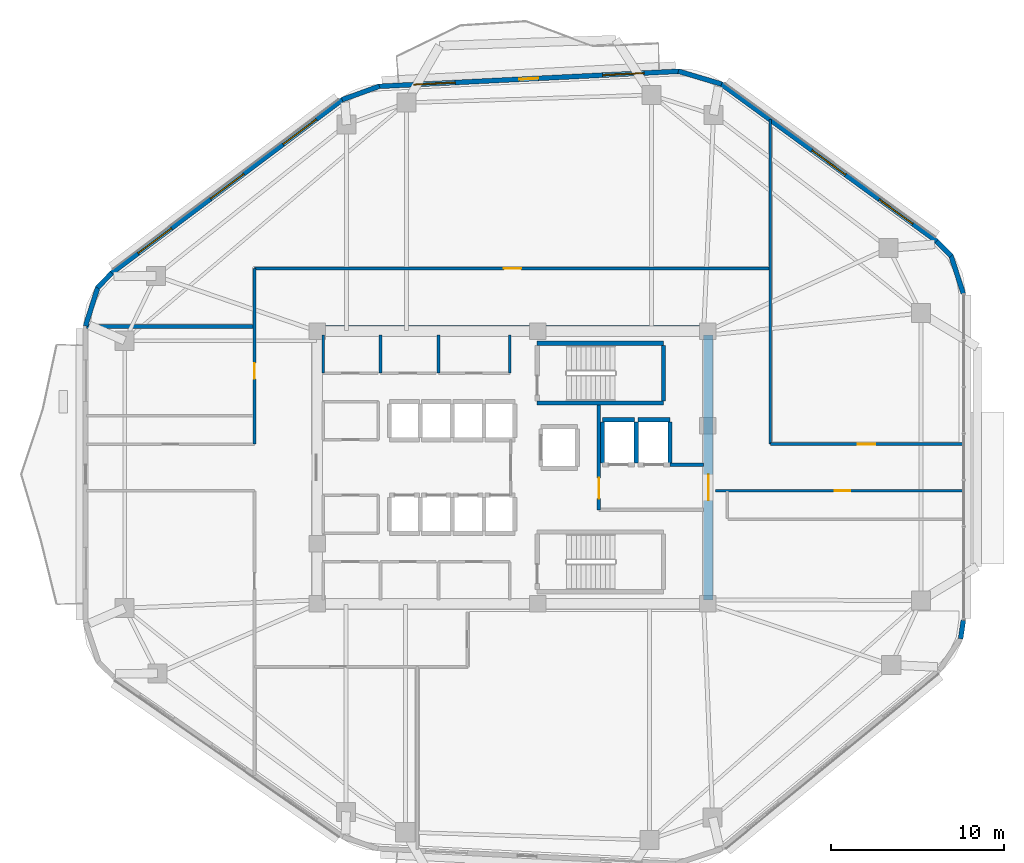
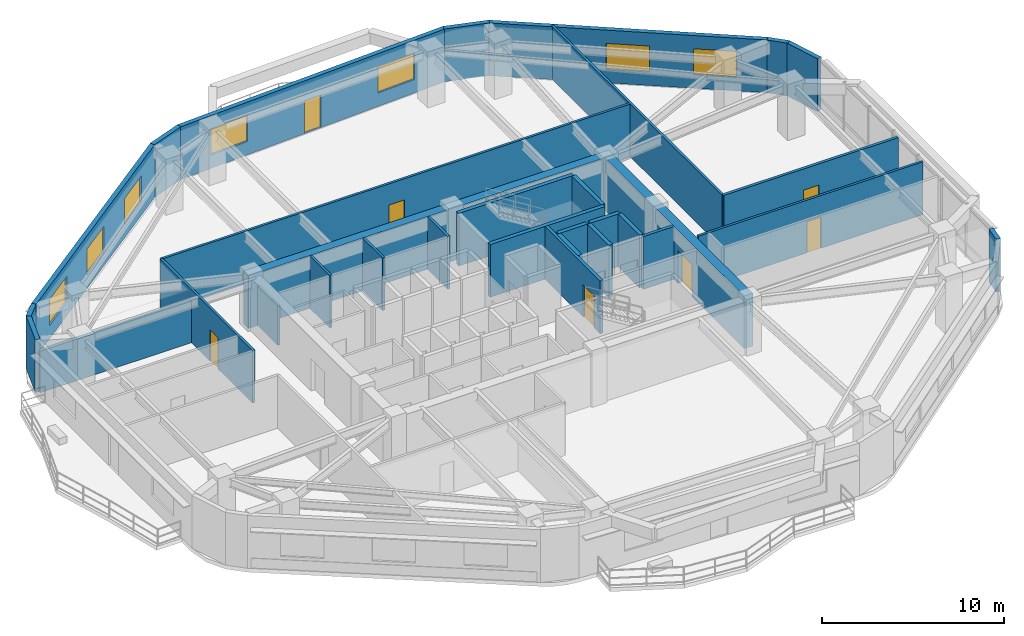
# One storey, part 11 of 15: 32 walls, 7 doors, 7 windows, 14 openings.
"""IFC4 building model written with IfcOpenShell, lengths in metres."""

from ifc_helpers import new_model, si_unit, direction, frame, frame_2d, origin, place, context, subcontext, project, spatial, rectangle, extrude, material, layer, layer_set, type_object, element, fill, save


model = new_model("IFC4")

# Units and contexts
model_context = context("Model", 3, precision=1e-05, world=origin(), true_north=direction((0.0, 1.0)))
body_context = subcontext(model_context, "Body", "Model", "MODEL_VIEW")
ifc_project = project(units=[si_unit("LENGTHUNIT", "METRE"), si_unit("AREAUNIT", "SQUARE_METRE"), si_unit("VOLUMEUNIT", "CUBIC_METRE"), si_unit("PLANEANGLEUNIT", "RADIAN"), si_unit("MASSUNIT", "GRAM", prefix="KILO")], contexts=[model_context])

# Site, building, storey
site_placement = place(None, origin())
site = spatial("IfcSite", under=ifc_project, at=site_placement, CompositionType="ELEMENT")
building_placement = place(site_placement, origin())
building = spatial("IfcBuilding", under=site, at=building_placement, Name="Zulverin Broadcast Headquarters", CompositionType="ELEMENT")
storey_placement = place(building_placement, frame((0.0, 0.0, 132.60009765625)))
storey = spatial("IfcBuildingStorey", under=building, at=storey_placement, Name="L33", CompositionType="ELEMENT", Elevation=132.60009765625)

# Walls
ifc_material_1 = material(Name="Double-stud acoustic drywall", Category="gypsum")
ifc_layer_1 = layer(ifc_material_1, 0.219970703125, Name="Double-stud acoustic drywall", Category="gypsum")
ifc_layer_set_1 = layer_set([ifc_layer_1], Name="Double-stud acoustic drywall")
wall_type_1 = type_object("IfcWallType", Name="WL-ACOU-220", PredefinedType="PARTITIONING", material=ifc_layer_set_1)
wall_1_placement = place(storey_placement, frame((12.405029296875, 33.35009765625, 0.0), z_axis=(0.0, 0.0, 1.0), x_axis=(1.0, 0.0, 0.0)))
element("IfcWall", 1, at=wall_1_placement, inside=storey, type_object=wall_type_1, Name="L33 Room Partition Wall RP-14", PredefinedType="PARTITIONING", context=body_context, shape_type="SweptSolid", body=[
    extrude(rectangle(XDim=9.695068359375, YDim=0.219970703125, at=frame_2d((4.84765625, 0.0))), origin(), (0.0, 0.0, 1.0), 2.789794921875),
])
ifc_material_2 = material(Name="Concrete C60/75", Category="concrete")
ifc_layer_2 = layer(ifc_material_2, 0.550048828125, Name="Concrete C60/75", Category="concrete")
ifc_layer_set_2 = layer_set([ifc_layer_2], Name="Concrete C60/75")
wall_type_2 = type_object("IfcWallType", Name="WL-CORE-550", PredefinedType="SHEAR", material=ifc_layer_set_2)
wall_2_placement = place(storey_placement, frame((25.39990234375, 33.125, 0.0), z_axis=(0.0, 0.0, 1.0), x_axis=(1.0, 0.0, 0.0)))
element("IfcWall", 2, at=wall_2_placement, inside=storey, type_object=wall_type_2, Name="L33 Core North Shear Wall", PredefinedType="SHEAR", context=body_context, shape_type="SweptSolid", body=[
    extrude(rectangle(XDim=23.2001953125, YDim=0.550048828125, at=frame_2d((11.60009765625, 0.0))), origin(), (0.0, 0.0, 1.0), 3.539794921875),
])

# Wall, opening, door
wall_3_placement = place(storey_placement, frame((48.324951171875, 17.550048828125, 0.0), z_axis=(0.0, 0.0, 1.0), x_axis=(0.0, 1.0, 0.0)))
wall_3 = element("IfcWall", 3, at=wall_3_placement, inside=storey, type_object=wall_type_2, Name="L33 Core East Shear Wall", PredefinedType="SHEAR", context=body_context, shape_type="SweptSolid", body=[
    extrude(rectangle(XDim=15.300048828125, YDim=0.550048828125, at=frame_2d((7.64990234375, 0.0))), origin(), (0.0, 0.0, 1.0), 3.539794921875),
])
opening_1_placement = place(wall_3_placement, frame((5.75, 0.0, 0.0)))
opening_1 = element("IfcOpeningElement", 4, at=opening_1_placement, cuts=wall_3, Name="Opening D-L33-CE1", PredefinedType="OPENING", context=body_context, shape_type="SweptSolid", body=[
    extrude(rectangle(XDim=1.5, YDim=2.14990234375, at=frame_2d((0.75, 1.074951171875))), frame((0.0, 0.284912109375, 0.0), z_axis=(0.0, -1.0, 0.0), x_axis=(1.0, 0.0, 0.0)), (0.0, 0.0, 1.0), 0.570068359375),
])
ifc_material_3 = material(Name="Fire-rated glazed steel frame", Category="steel")
door_type_1 = type_object("IfcDoorType", Name="DR-COR-1500", OperationType="DOUBLE_DOOR_SINGLE_SWING", PredefinedType="DOOR", material=ifc_material_3)
door_1_placement = place(opening_1_placement, origin())
door_1 = element("IfcDoor", 5, at=door_1_placement, inside=storey, type_object=door_type_1, Name="L33 Firefighting Lobby East Corridor Door", OperationType="DOUBLE_DOOR_SINGLE_SWING", OverallHeight=2.14990234375, OverallWidth=1.5, PredefinedType="DOOR", context=body_context, shape_type="SweptSolid", body=[
    extrude(rectangle(XDim=1.5, YDim=2.14990234375, at=frame_2d((0.75, 1.074951171875))), frame((0.0, 0.02490234375, 0.0), z_axis=(0.0, -1.0, 0.0), x_axis=(1.0, 0.0, 0.0)), (0.0, 0.0, 1.0), 0.050048828125),
])
fill(opening_1, door_1)

# Wall, openings, windows
ifc_material_4 = material(Name="Insulated pale-metal clad concrete spandrel C40/50", Category="concrete")
ifc_layer_3 = layer(ifc_material_4, 0.280029296875, Name="Insulated pale-metal clad concrete spandrel C40/50", Category="concrete")
ifc_layer_set_3 = layer_set([ifc_layer_3], Name="Insulated pale-metal clad concrete spandrel C40/50")
wall_type_3 = type_object("IfcWallType", Name="WL-EXT-280", PredefinedType="STANDARD", material=ifc_layer_set_3)
wall_4_placement = place(storey_placement, frame((61.516357421875, 38.26708984375, 0.0), z_axis=(0.0, 0.0, 1.0), x_axis=(-0.807812505785, 0.589439526582, 0.0)))
wall_4 = element("IfcWall", 6, at=wall_4_placement, inside=storey, type_object=wall_type_3, Name="L33 Pale-Metal Clad Spandrel Wall 4", PredefinedType="STANDARD", context=body_context, shape_type="SweptSolid", body=[
    extrude(rectangle(XDim=15.448486328125, YDim=0.280029296875, at=frame_2d((7.72412109375, 0.0))), origin(), (0.0, 0.0, 1.0), 3.539794921875),
])
opening_2_placement = place(wall_4_placement, frame((1.7080078125, 0.0, 0.89990234375)))
opening_2 = element("IfcOpeningElement", 7, at=opening_2_placement, cuts=wall_4, Name="Opening W-L33-E41", PredefinedType="OPENING", context=body_context, shape_type="SweptSolid", body=[
    extrude(rectangle(XDim=2.39990234375, YDim=1.75, at=frame_2d((1.199951171875, 0.875))), frame((0.0, 0.14990234375, 0.0), z_axis=(0.0, -1.0, 0.0), x_axis=(1.0, 0.0, 0.0)), (0.0, 0.0, 1.0), 0.300048828125),
])
opening_3_placement = place(wall_4_placement, frame((6.524169921875, 0.0, 0.89990234375)))
opening_3 = element("IfcOpeningElement", 8, at=opening_3_placement, cuts=wall_4, Name="Opening W-L33-E42", PredefinedType="OPENING", context=body_context, shape_type="SweptSolid", body=[
    extrude(rectangle(XDim=2.39990234375, YDim=1.75, at=frame_2d((1.199951171875, 0.875))), frame((0.0, 0.14990234375, 0.0), z_axis=(0.0, -1.0, 0.0), x_axis=(1.0, 0.0, 0.0)), (0.0, 0.0, 1.0), 0.300048828125),
])
ifc_material_5 = material(Name="Pale anodized aluminium frame with solar-control low-E double glazing", Category="aluminium")
window_type = type_object("IfcWindowType", Name="WIN-RIB-2400", PartitioningType="SINGLE_PANEL", PredefinedType="WINDOW", material=ifc_material_5)
window_1_placement = place(opening_2_placement, origin())
window_1 = element("IfcWindow", 9, at=window_1_placement, inside=storey, type_object=window_type, Name="L33 Ribbon Glazing Window 4 1", OverallHeight=1.75, OverallWidth=2.39990234375, PartitioningType="SINGLE_PANEL", PredefinedType="WINDOW", context=body_context, shape_type="SweptSolid", body=[
    extrude(rectangle(XDim=2.39990234375, YDim=1.75, at=frame_2d((1.199951171875, 0.875))), frame((0.0, 0.030029296875, 0.0), z_axis=(0.0, -1.0, 0.0), x_axis=(1.0, 0.0, 0.0)), (0.0, 0.0, 1.0), 0.06005859375),
])
fill(opening_2, window_1)
window_2_placement = place(opening_3_placement, origin())
window_2 = element("IfcWindow", 10, at=window_2_placement, inside=storey, type_object=window_type, Name="L33 Ribbon Glazing Window 4 2", OverallHeight=1.75, OverallWidth=2.39990234375, PartitioningType="SINGLE_PANEL", PredefinedType="WINDOW", context=body_context, shape_type="SweptSolid", body=[
    extrude(rectangle(XDim=2.39990234375, YDim=1.75, at=frame_2d((1.199951171875, 0.875))), frame((0.0, 0.030029296875, 0.0), z_axis=(0.0, -1.0, 0.0), x_axis=(1.0, 0.0, 0.0)), (0.0, 0.0, 1.0), 0.06005859375),
])
fill(opening_3, window_2)

# Wall, openings, door, windows
wall_5_placement = place(storey_placement, frame((46.632080078125, 48.091064453125, 0.0), z_axis=(0.0, 0.0, 1.0), x_axis=(-0.998744129094, -0.050101542886, 0.0)))
wall_5 = element("IfcWall", 11, at=wall_5_placement, inside=storey, type_object=wall_type_3, Name="L33 Pale-Metal Clad Spandrel Wall 5", PredefinedType="STANDARD", context=body_context, shape_type="SweptSolid", body=[
    extrude(rectangle(XDim=17.381591796875, YDim=0.280029296875, at=frame_2d((8.69091796875, 0.0))), origin(), (0.0, 0.0, 1.0), 3.539794921875),
])
opening_4_placement = place(wall_5_placement, frame((8.140869140625, 0.0, 0.0)))
opening_4 = element("IfcOpeningElement", 12, at=opening_4_placement, cuts=wall_5, Name="Opening D-L33-TR5", PredefinedType="OPENING", context=body_context, shape_type="SweptSolid", body=[
    extrude(rectangle(XDim=1.10009765625, YDim=2.199951171875, at=frame_2d((0.550048828125, 1.10009765625))), frame((0.0, 0.14990234375, 0.0), z_axis=(0.0, -1.0, 0.0), x_axis=(1.0, 0.0, 0.0)), (0.0, 0.0, 1.0), 0.300048828125),
])
opening_5_placement = place(wall_5_placement, frame((2.0302734375, 0.0, 0.89990234375)))
opening_5 = element("IfcOpeningElement", 13, at=opening_5_placement, cuts=wall_5, Name="Opening W-L33-E51", PredefinedType="OPENING", context=body_context, shape_type="SweptSolid", body=[
    extrude(rectangle(XDim=2.39990234375, YDim=1.75, at=frame_2d((1.199951171875, 0.875))), frame((0.0, 0.14990234375, 0.0), z_axis=(0.0, -1.0, 0.0), x_axis=(1.0, 0.0, 0.0)), (0.0, 0.0, 1.0), 0.300048828125),
])
opening_6_placement = place(wall_5_placement, frame((12.951416015625, 0.0, 0.89990234375)))
opening_6 = element("IfcOpeningElement", 14, at=opening_6_placement, cuts=wall_5, Name="Opening W-L33-E52", PredefinedType="OPENING", context=body_context, shape_type="SweptSolid", body=[
    extrude(rectangle(XDim=2.39990234375, YDim=1.75, at=frame_2d((1.199951171875, 0.875))), frame((0.0, 0.14990234375, 0.0), z_axis=(0.0, -1.0, 0.0), x_axis=(1.0, 0.0, 0.0)), (0.0, 0.0, 1.0), 0.300048828125),
])
ifc_material_6 = material(Name="Thermally broken aluminium glazed", Category="aluminium")
door_type_2 = type_object("IfcDoorType", Name="DR-TERR-1100", OperationType="SINGLE_SWING_RIGHT", PredefinedType="DOOR", material=ifc_material_6)
door_2_placement = place(opening_4_placement, origin())
door_2 = element("IfcDoor", 15, at=door_2_placement, inside=storey, type_object=door_type_2, Name="L33 Planted Terrace Glazed Access Door 5", OperationType="SINGLE_SWING_RIGHT", OverallHeight=2.199951171875, OverallWidth=1.10009765625, PredefinedType="DOOR", context=body_context, shape_type="SweptSolid", body=[
    extrude(rectangle(XDim=1.10009765625, YDim=2.199951171875, at=frame_2d((0.550048828125, 1.10009765625))), frame((0.0, 0.02490234375, 0.0), z_axis=(0.0, -1.0, 0.0), x_axis=(1.0, 0.0, 0.0)), (0.0, 0.0, 1.0), 0.050048828125),
])
fill(opening_4, door_2)
window_3_placement = place(opening_5_placement, origin())
window_3 = element("IfcWindow", 16, at=window_3_placement, inside=storey, type_object=window_type, Name="L33 Ribbon Glazing Window 5 1", OverallHeight=1.75, OverallWidth=2.39990234375, PartitioningType="SINGLE_PANEL", PredefinedType="WINDOW", context=body_context, shape_type="SweptSolid", body=[
    extrude(rectangle(XDim=2.39990234375, YDim=1.75, at=frame_2d((1.199951171875, 0.875))), frame((0.0, 0.030029296875, 0.0), z_axis=(0.0, -1.0, 0.0), x_axis=(1.0, 0.0, 0.0)), (0.0, 0.0, 1.0), 0.06005859375),
])
fill(opening_5, window_3)
window_4_placement = place(opening_6_placement, origin())
window_4 = element("IfcWindow", 17, at=window_4_placement, inside=storey, type_object=window_type, Name="L33 Ribbon Glazing Window 5 2", OverallHeight=1.75, OverallWidth=2.39990234375, PartitioningType="SINGLE_PANEL", PredefinedType="WINDOW", context=body_context, shape_type="SweptSolid", body=[
    extrude(rectangle(XDim=2.39990234375, YDim=1.75, at=frame_2d((1.199951171875, 0.875))), frame((0.0, 0.030029296875, 0.0), z_axis=(0.0, -1.0, 0.0), x_axis=(1.0, 0.0, 0.0)), (0.0, 0.0, 1.0), 0.06005859375),
])
fill(opening_6, window_4)

# Wall, openings, windows
wall_6_placement = place(storey_placement, frame((27.201171875, 46.469970703125, 0.0), z_axis=(0.0, 0.0, 1.0), x_axis=(-0.799280853427, -0.600957666849, 0.0)))
wall_6 = element("IfcWall", 18, at=wall_6_placement, inside=storey, type_object=wall_type_3, Name="L33 Pale-Metal Clad Spandrel Wall 6", PredefinedType="STANDARD", context=body_context, shape_type="SweptSolid", body=[
    extrude(rectangle(XDim=16.716064453125, YDim=0.280029296875, at=frame_2d((8.35791015625, 0.0))), origin(), (0.0, 0.0, 1.0), 3.539794921875),
])
opening_7_placement = place(wall_6_placement, frame((1.91943359375, 0.0, 0.89990234375)))
opening_7 = element("IfcOpeningElement", 19, at=opening_7_placement, cuts=wall_6, Name="Opening W-L33-E61", PredefinedType="OPENING", context=body_context, shape_type="SweptSolid", body=[
    extrude(rectangle(XDim=2.39990234375, YDim=1.75, at=frame_2d((1.199951171875, 0.875))), frame((0.0, 0.14990234375, 0.0), z_axis=(0.0, -1.0, 0.0), x_axis=(1.0, 0.0, 0.0)), (0.0, 0.0, 1.0), 0.300048828125),
])
opening_8_placement = place(wall_6_placement, frame((7.158203125, 0.0, 0.89990234375)))
opening_8 = element("IfcOpeningElement", 20, at=opening_8_placement, cuts=wall_6, Name="Opening W-L33-E62", PredefinedType="OPENING", context=body_context, shape_type="SweptSolid", body=[
    extrude(rectangle(XDim=2.39990234375, YDim=1.75, at=frame_2d((1.199951171875, 0.875))), frame((0.0, 0.14990234375, 0.0), z_axis=(0.0, -1.0, 0.0), x_axis=(1.0, 0.0, 0.0)), (0.0, 0.0, 1.0), 0.300048828125),
])
opening_9_placement = place(wall_6_placement, frame((12.396728515625, 0.0, 0.89990234375)))
opening_9 = element("IfcOpeningElement", 21, at=opening_9_placement, cuts=wall_6, Name="Opening W-L33-E63", PredefinedType="OPENING", context=body_context, shape_type="SweptSolid", body=[
    extrude(rectangle(XDim=2.39990234375, YDim=1.75, at=frame_2d((1.199951171875, 0.875))), frame((0.0, 0.14990234375, 0.0), z_axis=(0.0, -1.0, 0.0), x_axis=(1.0, 0.0, 0.0)), (0.0, 0.0, 1.0), 0.300048828125),
])
window_5_placement = place(opening_7_placement, origin())
window_5 = element("IfcWindow", 22, at=window_5_placement, inside=storey, type_object=window_type, Name="L33 Ribbon Glazing Window 6 1", OverallHeight=1.75, OverallWidth=2.39990234375, PartitioningType="SINGLE_PANEL", PredefinedType="WINDOW", context=body_context, shape_type="SweptSolid", body=[
    extrude(rectangle(XDim=2.39990234375, YDim=1.75, at=frame_2d((1.199951171875, 0.875))), frame((0.0, 0.030029296875, 0.0), z_axis=(0.0, -1.0, 0.0), x_axis=(1.0, 0.0, 0.0)), (0.0, 0.0, 1.0), 0.06005859375),
])
fill(opening_7, window_5)
window_6_placement = place(opening_8_placement, origin())
window_6 = element("IfcWindow", 23, at=window_6_placement, inside=storey, type_object=window_type, Name="L33 Ribbon Glazing Window 6 2", OverallHeight=1.75, OverallWidth=2.39990234375, PartitioningType="SINGLE_PANEL", PredefinedType="WINDOW", context=body_context, shape_type="SweptSolid", body=[
    extrude(rectangle(XDim=2.39990234375, YDim=1.75, at=frame_2d((1.199951171875, 0.875))), frame((0.0, 0.030029296875, 0.0), z_axis=(0.0, -1.0, 0.0), x_axis=(1.0, 0.0, 0.0)), (0.0, 0.0, 1.0), 0.06005859375),
])
fill(opening_8, window_6)
window_7_placement = place(opening_9_placement, origin())
window_7 = element("IfcWindow", 24, at=window_7_placement, inside=storey, type_object=window_type, Name="L33 Ribbon Glazing Window 6 3", OverallHeight=1.75, OverallWidth=2.39990234375, PartitioningType="SINGLE_PANEL", PredefinedType="WINDOW", context=body_context, shape_type="SweptSolid", body=[
    extrude(rectangle(XDim=2.39990234375, YDim=1.75, at=frame_2d((1.199951171875, 0.875))), frame((0.0, 0.030029296875, 0.0), z_axis=(0.0, -1.0, 0.0), x_axis=(1.0, 0.0, 0.0)), (0.0, 0.0, 1.0), 0.06005859375),
])
fill(opening_9, window_7)

# Walls
wall_7_placement = place(storey_placement, frame((62.8935546875, 15.306884765625, 0.0), z_axis=(0.0, 0.0, 1.0), x_axis=(0.146802787924, 0.989165780574, 0.0)))
element("IfcWall", 25, at=wall_7_placement, inside=storey, type_object=wall_type_3, Name="L33 Wind-Shaped Corner Spandrel Wall 2-2", PredefinedType="STANDARD", context=body_context, shape_type="SweptSolid", body=[
    extrude(rectangle(XDim=1.079345703125, YDim=0.280029296875, at=frame_2d((0.53955078125, 0.0))), origin(), (0.0, 0.0, 1.0), 3.539794921875),
])
wall_8_placement = place(storey_placement, frame((63.046875, 35.24853515625, 0.0), z_axis=(0.0, 0.0, 1.0), x_axis=(-0.308392438545, 0.951259220112, 0.0)))
element("IfcWall", 26, at=wall_8_placement, inside=storey, type_object=wall_type_3, Name="L33 Wind-Shaped Corner Spandrel Wall 3-1", PredefinedType="STANDARD", context=body_context, shape_type="SweptSolid", body=[
    extrude(rectangle(XDim=2.340087890625, YDim=0.280029296875, at=frame_2d((1.169921875, 0.0))), origin(), (0.0, 0.0, 1.0), 3.539794921875),
])
wall_9_placement = place(storey_placement, frame((62.359130859375, 37.419189453125, 0.0), z_axis=(0.0, 0.0, 1.0), x_axis=(-0.706003104649, 0.708208737751, 0.0)))
element("IfcWall", 27, at=wall_9_placement, inside=storey, type_object=wall_type_3, Name="L33 Wind-Shaped Corner Spandrel Wall 3-2", PredefinedType="STANDARD", context=body_context, shape_type="SweptSolid", body=[
    extrude(rectangle(XDim=1.217529296875, YDim=0.280029296875, at=frame_2d((0.60888671875, 0.0))), origin(), (0.0, 0.0, 1.0), 3.539794921875),
])
wall_10_placement = place(storey_placement, frame((49.079345703125, 47.35205078125, 0.0), z_axis=(0.0, 0.0, 1.0), x_axis=(-0.958207501709, 0.286074087726, 0.0)))
element("IfcWall", 28, at=wall_10_placement, inside=storey, type_object=wall_type_3, Name="L33 Wind-Shaped Corner Spandrel Wall 4-1", PredefinedType="STANDARD", context=body_context, shape_type="SweptSolid", body=[
    extrude(rectangle(XDim=2.60302734375, YDim=0.280029296875, at=frame_2d((1.301513671875, 0.0))), origin(), (0.0, 0.0, 1.0), 3.539794921875),
])
wall_11_placement = place(storey_placement, frame((29.31298828125, 47.228271484375, 0.0), z_axis=(0.0, 0.0, 1.0), x_axis=(-0.940226330758, -0.340550212084, 0.0)))
element("IfcWall", 29, at=wall_11_placement, inside=storey, type_object=wall_type_3, Name="L33 Wind-Shaped Corner Spandrel Wall 5-1", PredefinedType="STANDARD", context=body_context, shape_type="SweptSolid", body=[
    extrude(rectangle(XDim=2.28466796875, YDim=0.280029296875, at=frame_2d((1.142333984375, 0.0))), origin(), (0.0, 0.0, 1.0), 3.539794921875),
])
wall_12_placement = place(storey_placement, frame((13.8564453125, 36.4384765625, 0.0), z_axis=(0.0, 0.0, 1.0), x_axis=(-0.697369094044, -0.716712178404, 0.0)))
element("IfcWall", 30, at=wall_12_placement, inside=storey, type_object=wall_type_3, Name="L33 Wind-Shaped Corner Spandrel Wall 6-1", PredefinedType="STANDARD", context=body_context, shape_type="SweptSolid", body=[
    extrude(rectangle(XDim=1.198974609375, YDim=0.280029296875, at=frame_2d((0.599609375, 0.0))), origin(), (0.0, 0.0, 1.0), 3.539794921875),
])
wall_13_placement = place(storey_placement, frame((13.053466796875, 35.63427734375, 0.0), z_axis=(0.0, 0.0, 1.0), x_axis=(-0.303807416298, -0.952733464198, 0.0)))
element("IfcWall", 31, at=wall_13_placement, inside=storey, type_object=wall_type_3, Name="L33 Wind-Shaped Corner Spandrel Wall 6-2", PredefinedType="STANDARD", context=body_context, shape_type="SweptSolid", body=[
    extrude(rectangle(XDim=2.369873046875, YDim=0.280029296875, at=frame_2d((1.18505859375, 0.0))), origin(), (0.0, 0.0, 1.0), 3.539794921875),
])

# Wall, opening, door
ifc_material_7 = material(Name="Concrete C40/50", Category="concrete")
ifc_layer_4 = layer(ifc_material_7, 0.199951171875, Name="Concrete C40/50", Category="concrete")
ifc_layer_set_4 = layer_set([ifc_layer_4], Name="Concrete C40/50")
wall_type_4 = type_object("IfcWallType", Name="WL-FFL-200", PredefinedType="SOLIDWALL", material=ifc_layer_set_4)
wall_14_placement = place(storey_placement, frame((42.0, 22.75, 0.0), z_axis=(0.0, 0.0, 1.0), x_axis=(0.0, 1.0, 0.0)))
wall_14 = element("IfcWall", 32, at=wall_14_placement, inside=storey, type_object=wall_type_4, Name="L33 Firefighting Lift Lobby West Wall", PredefinedType="SOLIDWALL", context=body_context, shape_type="SweptSolid", body=[
    extrude(rectangle(XDim=6.050048828125, YDim=0.199951171875, at=frame_2d((3.02490234375, 0.0))), origin(), (0.0, 0.0, 1.0), 3.539794921875),
])
opening_10_placement = place(wall_14_placement, frame((0.64990234375, 0.0, 0.0)))
opening_10 = element("IfcOpeningElement", 33, at=opening_10_placement, cuts=wall_14, Name="Opening D-L33-FFLW", PredefinedType="OPENING", context=body_context, shape_type="SweptSolid", body=[
    extrude(rectangle(XDim=1.199951171875, YDim=2.14990234375, at=frame_2d((0.60009765625, 1.074951171875))), frame((0.0, 0.10986328125, 0.0), z_axis=(0.0, -1.0, 0.0), x_axis=(1.0, 0.0, 0.0)), (0.0, 0.0, 1.0), 0.219970703125),
])
ifc_material_8 = material(Name="Fire-rated steel leaf and frame", Category="steel")
door_type_3 = type_object("IfcDoorType", Name="DR-FFL-1200", OperationType="SINGLE_SWING_RIGHT", PredefinedType="DOOR", material=ifc_material_8)
door_3_placement = place(opening_10_placement, origin())
door_3 = element("IfcDoor", 34, at=door_3_placement, inside=storey, type_object=door_type_3, Name="L33 Firefighting Lift Lobby Door", OperationType="SINGLE_SWING_RIGHT", OverallHeight=2.14990234375, OverallWidth=1.199951171875, PredefinedType="DOOR", context=body_context, shape_type="SweptSolid", body=[
    extrude(rectangle(XDim=1.199951171875, YDim=2.14990234375, at=frame_2d((0.60009765625, 1.074951171875))), frame((0.0, 0.02490234375, 0.0), z_axis=(0.0, -1.0, 0.0), x_axis=(1.0, 0.0, 0.0)), (0.0, 0.0, 1.0), 0.050048828125),
])
fill(opening_10, door_3)

# Walls
wall_15_placement = place(storey_placement, frame((46.10009765625, 25.35009765625, 0.0), z_axis=(0.0, 0.0, 1.0), x_axis=(1.0, 0.0, 0.0)))
element("IfcWall", 35, at=wall_15_placement, inside=storey, type_object=wall_type_4, Name="L33 Firefighting Lift Lobby North Wall", PredefinedType="SOLIDWALL", context=body_context, shape_type="SweptSolid", body=[
    extrude(rectangle(XDim=1.949951171875, YDim=0.199951171875, at=frame_2d((0.97509765625, 0.0))), origin(), (0.0, 0.0, 1.0), 3.539794921875),
])
ifc_material_9 = material(Name="Fire-rated gypsum stud partition", Category="gypsum")
ifc_layer_5 = layer(ifc_material_9, 0.14990234375, Name="Fire-rated gypsum stud partition", Category="gypsum")
ifc_layer_set_5 = layer_set([ifc_layer_5], Name="Fire-rated gypsum stud partition")
wall_type_5 = type_object("IfcWallType", Name="WL-PART-150", PredefinedType="PARTITIONING", material=ifc_layer_set_5)
wall_16_placement = place(storey_placement, frame((26.070068359375, 30.64990234375, 0.0), z_axis=(0.0, 0.0, 1.0), x_axis=(0.0, 1.0, 0.0)))
element("IfcWall", 36, at=wall_16_placement, inside=storey, type_object=wall_type_5, Name="L33 Core Male WC West Wall", PredefinedType="PARTITIONING", context=body_context, shape_type="SweptSolid", body=[
    extrude(rectangle(XDim=2.2001953125, YDim=0.14990234375, at=frame_2d((1.10009765625, 0.0))), origin(), (0.0, 0.0, 1.0), 2.639892578125),
])
for number, where, z_axis, x_axis, name in (
    (37, (29.3798828125, 30.64990234375, 0.0), (0.0, 0.0, 1.0), (0.0, 1.0, 0.0), "L33 Core Accessible WC West Wall"),
    (38, (32.72998046875, 30.64990234375, 0.0), (0.0, 0.0, 1.0), (0.0, 1.0, 0.0), "L33 Core Electrical Distribution Riser West Wall"),
    (39, (36.85009765625, 30.64990234375, 0.0), (0.0, 0.0, 1.0), (0.0, 1.0, 0.0), "L33 Core Electrical Distribution Riser East Wall"),
):
    element("IfcWall", number, at=place(storey_placement, frame(where, z_axis=z_axis, x_axis=x_axis)), inside=storey, type_object=wall_type_5, Name=name, PredefinedType="PARTITIONING", context=body_context, shape_type="SweptSolid", body=[
        extrude(rectangle(XDim=2.2001953125, YDim=0.14990234375, at=frame_2d((1.10009765625, 0.0))), origin(), (0.0, 0.0, 1.0), 3.539794921875),
    ])
wall_17_placement = place(storey_placement, frame((51.89990234375, 26.550048828125, 0.0), z_axis=(0.0, 0.0, 1.0), x_axis=(0.0, 1.0, 0.0)))
element("IfcWall", 40, at=wall_17_placement, inside=storey, type_object=wall_type_5, Name="L33 Gallery Partition Wall CG-01", PredefinedType="PARTITIONING", context=body_context, shape_type="SweptSolid", body=[
    extrude(rectangle(XDim=18.76708984375, YDim=0.14990234375, at=frame_2d((9.383544921875, 0.0))), origin(), (0.0, 0.0, 1.0), 3.539794921875),
])

# Wall, opening, door
wall_18_placement = place(storey_placement, frame((22.10009765625, 26.550048828125, 0.0), z_axis=(0.0, 0.0, 1.0), x_axis=(0.0, 1.0, 0.0)))
wall_18 = element("IfcWall", 41, at=wall_18_placement, inside=storey, type_object=wall_type_5, Name="L33 Gallery Partition Wall CG-06", PredefinedType="PARTITIONING", context=body_context, shape_type="SweptSolid", body=[
    extrude(rectangle(XDim=10.14990234375, YDim=0.14990234375, at=frame_2d((5.074951171875, 0.0))), origin(), (0.0, 0.0, 1.0), 3.539794921875),
])
opening_11_placement = place(wall_18_placement, frame((3.77490234375, 0.0, 0.0)))
opening_11 = element("IfcOpeningElement", 42, at=opening_11_placement, cuts=wall_18, Name="Opening D-L33-06", PredefinedType="OPENING", context=body_context, shape_type="SweptSolid", body=[
    extrude(rectangle(XDim=0.89990234375, YDim=2.10009765625, at=frame_2d((0.449951171875, 1.050048828125))), frame((0.0, 0.0849609375, 0.0), z_axis=(0.0, -1.0, 0.0), x_axis=(1.0, 0.0, 0.0)), (0.0, 0.0, 1.0), 0.169921875),
])
ifc_material_10 = material(Name="Fire-rated hardwood veneer timber leaf", Category="wood")
door_type_4 = type_object("IfcDoorType", Name="DR-ROOM-900", OperationType="SINGLE_SWING_RIGHT", PredefinedType="DOOR", material=ifc_material_10)
door_4_placement = place(opening_11_placement, origin())
door_4 = element("IfcDoor", 43, at=door_4_placement, inside=storey, type_object=door_type_4, Name="L33 Staff Dining Area Door", OperationType="SINGLE_SWING_LEFT", OverallHeight=2.10009765625, OverallWidth=0.89990234375, PredefinedType="DOOR", context=body_context, shape_type="SweptSolid", body=[
    extrude(rectangle(XDim=0.89990234375, YDim=2.10009765625, at=frame_2d((0.449951171875, 1.050048828125))), frame((0.0, 0.02490234375, 0.0), z_axis=(0.0, -1.0, 0.0), x_axis=(1.0, 0.0, 0.0)), (0.0, 0.0, 1.0), 0.050048828125),
])
fill(opening_11, door_4)

wall_19_placement = place(storey_placement, frame((48.739990234375, 23.85009765625, 0.0), z_axis=(0.0, 0.0, 1.0), x_axis=(1.0, 0.0, 0.0)))
wall_19 = element("IfcWall", 44, at=wall_19_placement, inside=storey, type_object=wall_type_5, Name="L33 Gallery Partition Wall CG-10", PredefinedType="PARTITIONING", context=body_context, shape_type="SweptSolid", body=[
    extrude(rectangle(XDim=14.255126953125, YDim=0.14990234375, at=frame_2d((7.12744140625, 0.0))), origin(), (0.0, 0.0, 1.0), 3.539794921875),
])
opening_12_placement = place(wall_19_placement, frame((6.887451171875, 0.0, 0.0)))
opening_12 = element("IfcOpeningElement", 45, at=opening_12_placement, cuts=wall_19, Name="Opening D-L33-07", PredefinedType="OPENING", context=body_context, shape_type="SweptSolid", body=[
    extrude(rectangle(XDim=0.89990234375, YDim=2.10009765625, at=frame_2d((0.449951171875, 1.050048828125))), frame((0.0, 0.0849609375, 0.0), z_axis=(0.0, -1.0, 0.0), x_axis=(1.0, 0.0, 0.0)), (0.0, 0.0, 1.0), 0.169921875),
])
door_5_placement = place(opening_12_placement, origin())
door_5 = element("IfcDoor", 46, at=door_5_placement, inside=storey, type_object=door_type_4, Name="L33 Tea Pantry Door", OperationType="SINGLE_SWING_RIGHT", OverallHeight=2.10009765625, OverallWidth=0.89990234375, PredefinedType="DOOR", context=body_context, shape_type="SweptSolid", body=[
    extrude(rectangle(XDim=0.89990234375, YDim=2.10009765625, at=frame_2d((0.449951171875, 1.050048828125))), frame((0.0, 0.02490234375, 0.0), z_axis=(0.0, -1.0, 0.0), x_axis=(1.0, 0.0, 0.0)), (0.0, 0.0, 1.0), 0.050048828125),
])
fill(opening_12, door_5)

wall_20_placement = place(storey_placement, frame((22.10009765625, 36.699951171875, 0.0), z_axis=(0.0, 0.0, 1.0), x_axis=(1.0, 0.0, 0.0)))
wall_20 = element("IfcWall", 47, at=wall_20_placement, inside=storey, type_object=wall_type_5, Name="L33 Gallery Partition Wall CG-15", PredefinedType="PARTITIONING", context=body_context, shape_type="SweptSolid", body=[
    extrude(rectangle(XDim=29.7998046875, YDim=0.14990234375, at=frame_2d((14.89990234375, 0.0))), origin(), (0.0, 0.0, 1.0), 3.539794921875),
])
opening_13_placement = place(wall_20_placement, frame((14.39990234375, 0.0, 0.0)))
opening_13 = element("IfcOpeningElement", 48, at=opening_13_placement, cuts=wall_20, Name="Opening D-L33-01", PredefinedType="OPENING", context=body_context, shape_type="SweptSolid", body=[
    extrude(rectangle(XDim=1.0, YDim=2.1201171875, at=frame_2d((0.5, 1.06005859375))), frame((0.0, 0.0849609375, 0.0), z_axis=(0.0, -1.0, 0.0), x_axis=(1.0, 0.0, 0.0)), (0.0, 0.0, 1.0), 0.169921875),
])
ifc_material_11 = material(Name="Hardwood veneer acoustic leaf", Category="wood")
door_type_5 = type_object("IfcDoorType", Name="DR-OFF-1000", OperationType="SINGLE_SWING_LEFT", PredefinedType="DOOR", material=ifc_material_11)
door_6_placement = place(opening_13_placement, origin())
door_6 = element("IfcDoor", 49, at=door_6_placement, inside=storey, type_object=door_type_5, Name="L33 Open Engineering Office Door", OperationType="SINGLE_SWING_RIGHT", OverallHeight=2.1201171875, OverallWidth=1.0, PredefinedType="DOOR", context=body_context, shape_type="SweptSolid", body=[
    extrude(rectangle(XDim=1.0, YDim=2.1201171875, at=frame_2d((0.5, 1.06005859375))), frame((0.0, 0.02490234375, 0.0), z_axis=(0.0, -1.0, 0.0), x_axis=(1.0, 0.0, 0.0)), (0.0, 0.0, 1.0), 0.050048828125),
])
fill(opening_13, door_6)

ifc_material_12 = material(Name="Fire-rated acoustic stud wall", Category="gypsum")
ifc_layer_6 = layer(ifc_material_12, 0.175048828125, Name="Fire-rated acoustic stud wall", Category="gypsum")
ifc_layer_set_6 = layer_set([ifc_layer_6], Name="Fire-rated acoustic stud wall")
wall_type_6 = type_object("IfcWallType", Name="WL-PART-175", PredefinedType="PARTITIONING", material=ifc_layer_set_6)
wall_21_placement = place(storey_placement, frame((51.89990234375, 26.550048828125, 0.0), z_axis=(0.0, 0.0, 1.0), x_axis=(1.0, 0.0, 0.0)))
wall_21 = element("IfcWall", 50, at=wall_21_placement, inside=storey, type_object=wall_type_6, Name="L33 Gallery Partition Wall CG-12", PredefinedType="PARTITIONING", context=body_context, shape_type="SweptSolid", body=[
    extrude(rectangle(XDim=11.09521484375, YDim=0.175048828125, at=frame_2d((5.547607421875, 0.0))), origin(), (0.0, 0.0, 1.0), 3.539794921875),
])
opening_14_placement = place(wall_21_placement, frame((5.047607421875, 0.0, 0.0)))
opening_14 = element("IfcOpeningElement", 51, at=opening_14_placement, cuts=wall_21, Name="Opening D-L33-08", PredefinedType="OPENING", context=body_context, shape_type="SweptSolid", body=[
    extrude(rectangle(XDim=1.0, YDim=2.1201171875, at=frame_2d((0.5, 1.06005859375))), frame((0.0, 0.097412109375, 0.0), z_axis=(0.0, -1.0, 0.0), x_axis=(1.0, 0.0, 0.0)), (0.0, 0.0, 1.0), 0.195068359375),
])
door_7_placement = place(opening_14_placement, origin())
door_7 = element("IfcDoor", 52, at=door_7_placement, inside=storey, type_object=door_type_5, Name="L33 Open Engineering Office Door", OperationType="SINGLE_SWING_LEFT", OverallHeight=2.1201171875, OverallWidth=1.0, PredefinedType="DOOR", context=body_context, shape_type="SweptSolid", body=[
    extrude(rectangle(XDim=1.0, YDim=2.1201171875, at=frame_2d((0.5, 1.06005859375))), frame((0.0, 0.02490234375, 0.0), z_axis=(0.0, -1.0, 0.0), x_axis=(1.0, 0.0, 0.0)), (0.0, 0.0, 1.0), 0.050048828125),
])
fill(opening_14, door_7)

# Walls
ifc_material_13 = material(Name="Concrete C50/60", Category="concrete")
ifc_layer_7 = layer(ifc_material_13, 0.25, Name="Concrete C50/60", Category="concrete")
ifc_layer_set_7 = layer_set([ifc_layer_7], Name="Concrete C50/60")
wall_type_7 = type_object("IfcWallType", Name="WL-SHAFT-250", PredefinedType="SHEAR", material=ifc_layer_set_7)
for number, where, z_axis, x_axis, name in (
    (53, (38.425048828125, 28.925048828125, 0.0), (0.0, 0.0, 1.0), (1.0, 0.0, 0.0), "L33 ST-1 Enclosure Wall S"),
    (54, (38.425048828125, 32.375, 0.0), (0.0, 0.0, 1.0), (1.0, 0.0, 0.0), "L33 ST-1 Enclosure Wall N"),
):
    element("IfcWall", number, at=place(storey_placement, frame(where, z_axis=z_axis, x_axis=x_axis)), inside=storey, type_object=wall_type_7, Name=name, PredefinedType="SHEAR", context=body_context, shape_type="SweptSolid", body=[
        extrude(rectangle(XDim=7.300048828125, YDim=0.25, at=frame_2d((3.64990234375, 0.0))), origin(), (0.0, 0.0, 1.0), 3.539794921875),
    ])
wall_22_placement = place(storey_placement, frame((45.72509765625, 29.050048828125, 0.0), z_axis=(0.0, 0.0, 1.0), x_axis=(0.0, 1.0, 0.0)))
element("IfcWall", 55, at=wall_22_placement, inside=storey, type_object=wall_type_7, Name="L33 ST-1 Enclosure Wall E", PredefinedType="SHEAR", context=body_context, shape_type="SweptSolid", body=[
    extrude(rectangle(XDim=3.199951171875, YDim=0.25, at=frame_2d((1.60009765625, 0.0))), origin(), (0.0, 0.0, 1.0), 3.539794921875),
])
wall_23_placement = place(storey_placement, frame((42.199951171875, 27.949951171875, 0.0), z_axis=(0.0, 0.0, 1.0), x_axis=(1.0, 0.0, 0.0)))
element("IfcWall", 56, at=wall_23_placement, inside=storey, type_object=wall_type_7, Name="L33 Lift FFL-1 Shaft Wall N", PredefinedType="SHEAR", context=body_context, shape_type="SweptSolid", body=[
    extrude(rectangle(XDim=1.85009765625, YDim=0.25, at=frame_2d((0.925048828125, 0.0))), origin(), (0.0, 0.0, 1.0), 3.539794921875),
])
for number, where, z_axis, x_axis, name in (
    (57, (42.199951171875, 25.469970703125, 0.0), (0.0, 0.0, 1.0), (0.0, 1.0, 0.0), "L33 Lift FFL-1 Shaft Wall W"),
    (58, (44.14990234375, 25.469970703125, 0.0), (0.0, 0.0, 1.0), (0.0, 1.0, 0.0), "L33 Lift FFL-1 Shaft Wall E"),
):
    element("IfcWall", number, at=place(storey_placement, frame(where, z_axis=z_axis, x_axis=x_axis)), inside=storey, type_object=wall_type_7, Name=name, PredefinedType="SHEAR", context=body_context, shape_type="SweptSolid", body=[
        extrude(rectangle(XDim=2.360107421875, YDim=0.25, at=frame_2d((1.18017578125, 0.0))), origin(), (0.0, 0.0, 1.0), 3.539794921875),
    ])
wall_24_placement = place(storey_placement, frame((44.25, 27.949951171875, 0.0), z_axis=(0.0, 0.0, 1.0), x_axis=(1.0, 0.0, 0.0)))
element("IfcWall", 59, at=wall_24_placement, inside=storey, type_object=wall_type_7, Name="L33 Lift FFL-2 Shaft Wall N", PredefinedType="SHEAR", context=body_context, shape_type="SweptSolid", body=[
    extrude(rectangle(XDim=1.85009765625, YDim=0.25, at=frame_2d((0.925048828125, 0.0))), origin(), (0.0, 0.0, 1.0), 3.539794921875),
])
wall_25_placement = place(storey_placement, frame((46.10009765625, 25.469970703125, 0.0), z_axis=(0.0, 0.0, 1.0), x_axis=(0.0, 1.0, 0.0)))
element("IfcWall", 60, at=wall_25_placement, inside=storey, type_object=wall_type_7, Name="L33 Lift FFL-2 Shaft Wall E", PredefinedType="SHEAR", context=body_context, shape_type="SweptSolid", body=[
    extrude(rectangle(XDim=2.360107421875, YDim=0.25, at=frame_2d((1.18017578125, 0.0))), origin(), (0.0, 0.0, 1.0), 3.539794921875),
])

save(model, "model.ifc")
